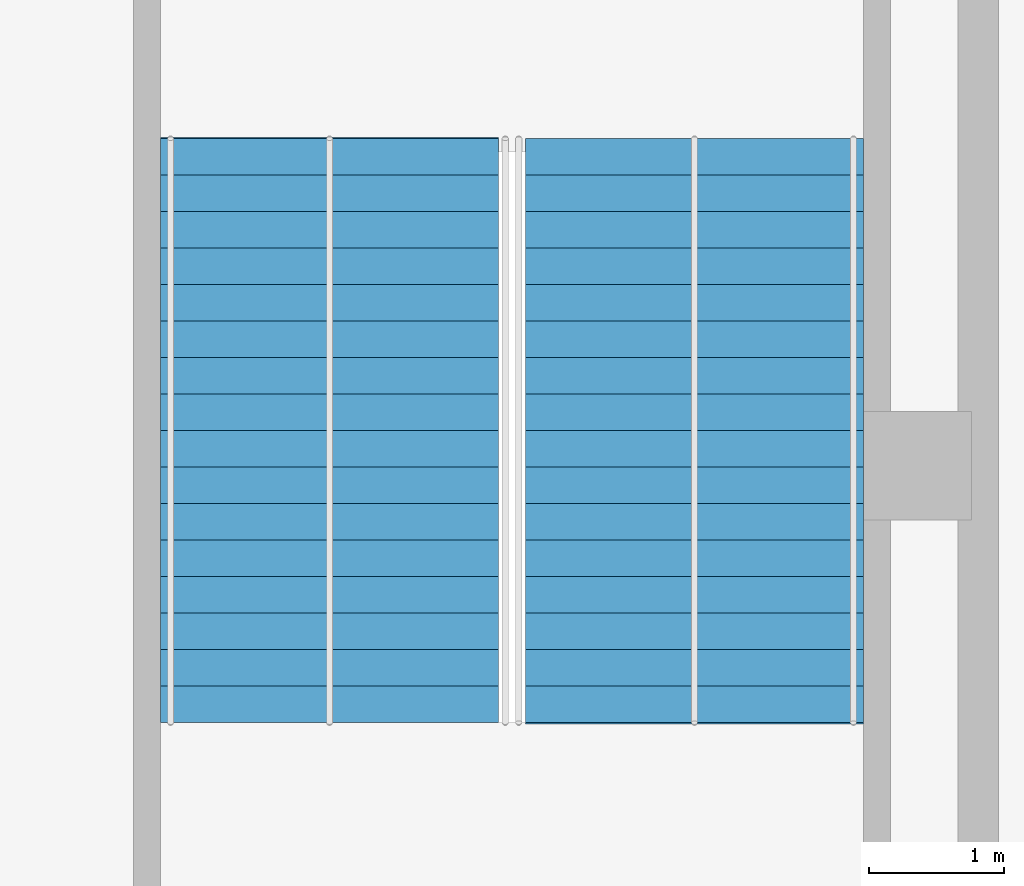
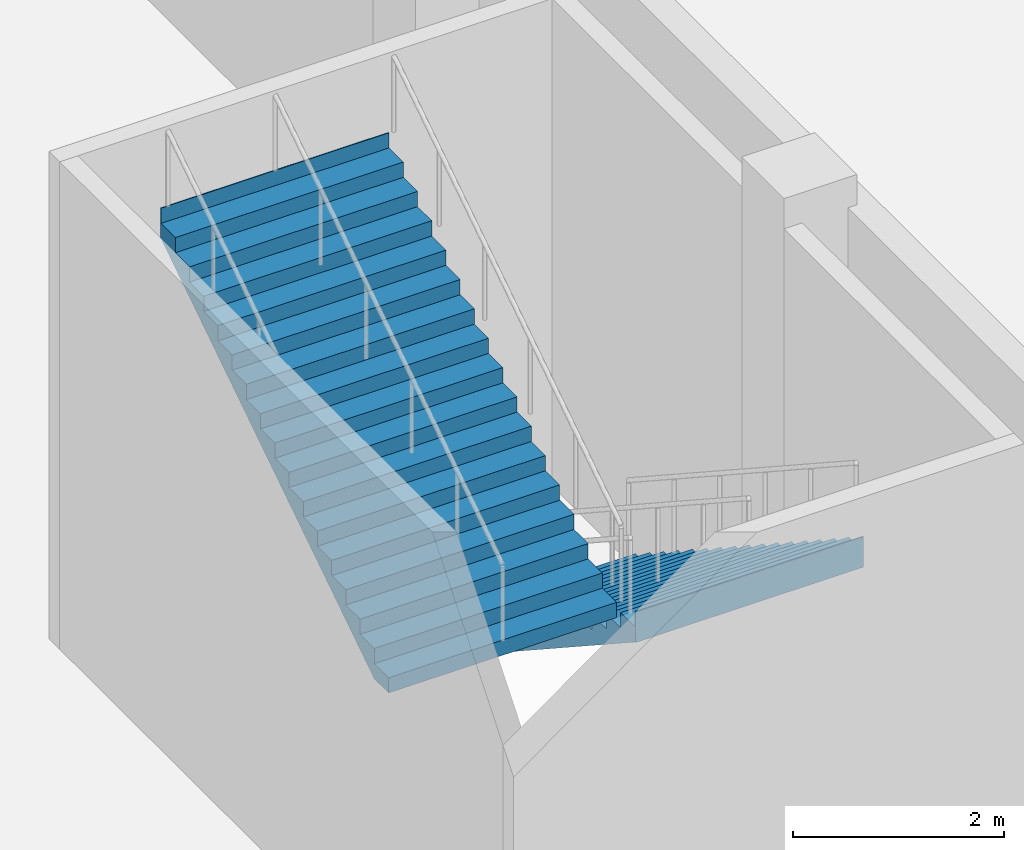
# One storey, part 7 of 8: 2 stair flights, 1 element without a shape of its own.
"""IFC4 building model written with IfcOpenShell, lengths in metres."""

from ifc_helpers import new_model, si_unit, direction, frame, origin, place, context, subcontext, project, spatial, faceted_brep, material, type_object, element, aggregate, save


model = new_model("IFC4")

# Units and contexts
model_context = context("Model", 3, precision=1e-05, world=origin(), true_north=direction((0.0, 1.0)))
body_context = subcontext(model_context, "Body", "Model", "MODEL_VIEW")
ifc_project = project(units=[si_unit("LENGTHUNIT", "METRE"), si_unit("AREAUNIT", "SQUARE_METRE"), si_unit("VOLUMEUNIT", "CUBIC_METRE"), si_unit("PLANEANGLEUNIT", "RADIAN"), si_unit("MASSUNIT", "GRAM", prefix="KILO")], contexts=[model_context])

# Site, building, storey
site_placement = place(None, origin())
site = spatial("IfcSite", under=ifc_project, at=site_placement, CompositionType="ELEMENT")
building_placement = place(site_placement, origin())
building = spatial("IfcBuilding", under=site, at=building_placement, Name="Torsade Residences", CompositionType="ELEMENT")
storey_placement = place(building_placement, origin())
storey = spatial("IfcBuildingStorey", under=building, at=storey_placement, Name="L00", CompositionType="ELEMENT", Elevation=0.0)

# Stair, stair flights
ifc_material_1 = material(Name="Concrete 40 MPa", Category="concrete")
stair_type = type_object("IfcStairType", Name="HALF-TURN PODIUM STAIR 2500x6000", PredefinedType="HALF_TURN_STAIR", material=ifc_material_1)
stair_placement = place(storey_placement, origin())
stair = element("IfcStair", 1, at=stair_placement, inside=storey, type_object=stair_type, Name="Stair ST4 L00", PredefinedType="HALF_TURN_STAIR")
ifc_material_2 = material(Name="Concrete 40 MPa", Category="concrete")
stair_flight_type = type_object("IfcStairFlightType", Name="PODIUM STAIR FLIGHT 2500x3000", PredefinedType="STRAIGHT", material=ifc_material_2)
stair_flight_1_placement = place(storey_placement, frame((75.75, 13.419921875, 0.0), z_axis=(0.0, 0.0, 1.0), x_axis=(0.0, -1.0, 0.0)))
stair_flight_1 = element("IfcStairFlight", 2, at=stair_flight_1_placement, type_object=stair_flight_type, Name="ST4 flight 1", NumberOfRisers=17, NumberOfTreads=16, PredefinedType="STRAIGHT", RiserHeight=0.176470588, TreadLength=0.27, context=body_context, shape_type="Brep", body=[
    faceted_brep([(0.0, 1.25, 0.0), (0.0, 1.25, 0.176513671875), (0.27001953125, 1.25, 0.176513671875), (0.27001953125, 1.25, 0.35302734375), (0.5400390625, 1.25, 0.35302734375), (0.5400390625, 1.25, 0.529296875), (0.81005859375, 1.25, 0.529296875), (0.81005859375, 1.25, 0.705810546875), (1.080078125, 1.25, 0.705810546875), (1.080078125, 1.25, 0.88232421875), (1.35009765625, 1.25, 0.88232421875), (1.35009765625, 1.25, 1.058837890625), (1.6201171875, 1.25, 1.058837890625), (1.6201171875, 1.25, 1.2353515625), (1.889892578125, 1.25, 1.2353515625), (1.889892578125, 1.25, 1.411865234375), (2.159912109375, 1.25, 1.411865234375), (2.159912109375, 1.25, 1.588134765625), (2.429931640625, 1.25, 1.588134765625), (2.429931640625, 1.25, 1.7646484375), (2.699951171875, 1.25, 1.7646484375), (2.699951171875, 1.25, 1.941162109375), (2.969970703125, 1.25, 1.941162109375), (2.969970703125, 1.25, 2.11767578125), (3.239990234375, 1.25, 2.11767578125), (3.239990234375, 1.25, 2.294189453125), (3.510009765625, 1.25, 2.294189453125), (3.510009765625, 1.25, 2.470703125), (3.780029296875, 1.25, 2.470703125), (3.780029296875, 1.25, 2.64697265625), (4.050048828125, 1.25, 2.64697265625), (4.050048828125, 1.25, 2.823486328125), (4.320068359375, 1.25, 2.823486328125), (4.320068359375, 1.25, 3.0), (4.330078125, 1.25, 3.0), (4.330078125, 1.25, 2.64453125), (4.320068359375, 1.25, 2.64453125), (0.27392578125, 1.25, 0.0), (0.27392578125, -1.25, 0.0), (4.320068359375, -1.25, 2.64453125), (4.330078125, -1.25, 2.64453125), (4.330078125, -1.25, 3.0), (4.320068359375, -1.25, 3.0), (4.320068359375, -1.25, 2.823486328125), (4.050048828125, -1.25, 2.823486328125), (4.050048828125, -1.25, 2.64697265625), (3.780029296875, -1.25, 2.64697265625), (3.780029296875, -1.25, 2.470703125), (3.510009765625, -1.25, 2.470703125), (3.510009765625, -1.25, 2.294189453125), (3.239990234375, -1.25, 2.294189453125), (3.239990234375, -1.25, 2.11767578125), (2.969970703125, -1.25, 2.11767578125), (2.969970703125, -1.25, 1.941162109375), (2.699951171875, -1.25, 1.941162109375), (2.699951171875, -1.25, 1.7646484375), (2.429931640625, -1.25, 1.7646484375), (2.429931640625, -1.25, 1.588134765625), (2.159912109375, -1.25, 1.588134765625), (2.159912109375, -1.25, 1.411865234375), (1.889892578125, -1.25, 1.411865234375), (1.889892578125, -1.25, 1.2353515625), (1.6201171875, -1.25, 1.2353515625), (1.6201171875, -1.25, 1.058837890625), (1.35009765625, -1.25, 1.058837890625), (1.35009765625, -1.25, 0.88232421875), (1.080078125, -1.25, 0.88232421875), (1.080078125, -1.25, 0.705810546875), (0.81005859375, -1.25, 0.705810546875), (0.81005859375, -1.25, 0.529296875), (0.5400390625, -1.25, 0.529296875), (0.5400390625, -1.25, 0.35302734375), (0.27001953125, -1.25, 0.35302734375), (0.27001953125, -1.25, 0.176513671875), (0.0, -1.25, 0.176513671875), (0.0, -1.25, 0.0), (0.0, 0.75, 0.0), (0.0, 0.75, 0.176513671875), (0.0, 0.25, 0.0), (0.0, 0.25, 0.176513671875), (0.0, -0.25, 0.0), (0.0, -0.25, 0.176513671875), (0.0, -0.75, 0.0), (0.0, -0.75, 0.176513671875), (0.27001953125, 0.75, 0.176513671875), (0.27001953125, 0.25, 0.176513671875), (0.27001953125, -0.25, 0.176513671875), (0.27001953125, -0.75, 0.176513671875), (0.27001953125, 0.75, 0.35302734375), (0.27001953125, 0.25, 0.35302734375), (0.27001953125, -0.25, 0.35302734375), (0.27001953125, -0.75, 0.35302734375), (0.5400390625, 0.75, 0.35302734375), (0.5400390625, 0.25, 0.35302734375), (0.5400390625, -0.25, 0.35302734375), (0.5400390625, -0.75, 0.35302734375), (0.5400390625, 0.75, 0.529296875), (0.5400390625, 0.25, 0.529296875), (0.5400390625, -0.25, 0.529296875), (0.5400390625, -0.75, 0.529296875), (0.81005859375, 0.75, 0.529296875), (0.81005859375, 0.25, 0.529296875), (0.81005859375, -0.25, 0.529296875), (0.81005859375, -0.75, 0.529296875), (0.81005859375, 0.75, 0.705810546875), (0.81005859375, 0.25, 0.705810546875), (0.81005859375, -0.25, 0.705810546875), (0.81005859375, -0.75, 0.705810546875), (1.080078125, 0.75, 0.705810546875), (1.080078125, 0.25, 0.705810546875), (1.080078125, -0.25, 0.705810546875), (1.080078125, -0.75, 0.705810546875), (1.080078125, 0.75, 0.88232421875), (1.080078125, 0.25, 0.88232421875), (1.080078125, -0.25, 0.88232421875), (1.080078125, -0.75, 0.88232421875), (1.35009765625, 0.75, 0.88232421875), (1.35009765625, 0.25, 0.88232421875), (1.35009765625, -0.25, 0.88232421875), (1.35009765625, -0.75, 0.88232421875), (1.35009765625, 0.75, 1.058837890625), (1.35009765625, 0.25, 1.058837890625), (1.35009765625, -0.25, 1.058837890625), (1.35009765625, -0.75, 1.058837890625), (1.6201171875, 0.75, 1.058837890625), (1.6201171875, 0.25, 1.058837890625), (1.6201171875, -0.25, 1.058837890625), (1.6201171875, -0.75, 1.058837890625), (1.6201171875, 0.75, 1.2353515625), (1.6201171875, 0.25, 1.2353515625), (1.6201171875, -0.25, 1.2353515625), (1.6201171875, -0.75, 1.2353515625), (1.889892578125, 0.75, 1.2353515625), (1.889892578125, 0.25, 1.2353515625), (1.889892578125, -0.25, 1.2353515625), (1.889892578125, -0.75, 1.2353515625), (1.889892578125, 0.75, 1.411865234375), (1.889892578125, 0.25, 1.411865234375), (1.889892578125, -0.25, 1.411865234375), (1.889892578125, -0.75, 1.411865234375), (2.159912109375, 0.75, 1.411865234375), (2.159912109375, 0.25, 1.411865234375), (2.159912109375, -0.25, 1.411865234375), (2.159912109375, -0.75, 1.411865234375), (2.159912109375, 0.75, 1.588134765625), (2.159912109375, 0.25, 1.588134765625), (2.159912109375, -0.25, 1.588134765625), (2.159912109375, -0.75, 1.588134765625), (2.429931640625, 0.75, 1.588134765625), (2.429931640625, 0.25, 1.588134765625), (2.429931640625, -0.25, 1.588134765625), (2.429931640625, -0.75, 1.588134765625), (2.429931640625, 0.75, 1.7646484375), (2.429931640625, 0.25, 1.7646484375), (2.429931640625, -0.25, 1.7646484375), (2.429931640625, -0.75, 1.7646484375), (2.699951171875, 0.75, 1.7646484375), (2.699951171875, 0.25, 1.7646484375), (2.699951171875, -0.25, 1.7646484375), (2.699951171875, -0.75, 1.7646484375), (2.699951171875, 0.75, 1.941162109375), (2.699951171875, 0.25, 1.941162109375), (2.699951171875, -0.25, 1.941162109375), (2.699951171875, -0.75, 1.941162109375), (2.969970703125, 0.75, 1.941162109375), (2.969970703125, 0.25, 1.941162109375), (2.969970703125, -0.25, 1.941162109375), (2.969970703125, -0.75, 1.941162109375), (2.969970703125, 0.75, 2.11767578125), (2.969970703125, 0.25, 2.11767578125), (2.969970703125, -0.25, 2.11767578125), (2.969970703125, -0.75, 2.11767578125), (3.239990234375, 0.75, 2.11767578125), (3.239990234375, 0.25, 2.11767578125), (3.239990234375, -0.25, 2.11767578125), (3.239990234375, -0.75, 2.11767578125), (3.239990234375, 0.75, 2.294189453125), (3.239990234375, 0.25, 2.294189453125), (3.239990234375, -0.25, 2.294189453125), (3.239990234375, -0.75, 2.294189453125), (3.510009765625, 0.75, 2.294189453125), (3.510009765625, 0.25, 2.294189453125), (3.510009765625, -0.25, 2.294189453125), (3.510009765625, -0.75, 2.294189453125), (3.510009765625, 0.75, 2.470703125), (3.510009765625, 0.25, 2.470703125), (3.510009765625, -0.25, 2.470703125), (3.510009765625, -0.75, 2.470703125), (3.780029296875, 0.75, 2.470703125), (3.780029296875, 0.25, 2.470703125), (3.780029296875, -0.25, 2.470703125), (3.780029296875, -0.75, 2.470703125), (3.780029296875, 0.75, 2.64697265625), (3.780029296875, 0.25, 2.64697265625), (3.780029296875, -0.25, 2.64697265625), (3.780029296875, -0.75, 2.64697265625), (4.050048828125, 0.75, 2.64697265625), (4.050048828125, 0.25, 2.64697265625), (4.050048828125, -0.25, 2.64697265625), (4.050048828125, -0.75, 2.64697265625), (4.050048828125, 0.75, 2.823486328125), (4.050048828125, 0.25, 2.823486328125), (4.050048828125, -0.25, 2.823486328125), (4.050048828125, -0.75, 2.823486328125), (4.320068359375, 0.75, 2.823486328125), (4.320068359375, 0.25, 2.823486328125), (4.320068359375, -0.25, 2.823486328125), (4.320068359375, -0.75, 2.823486328125), (4.320068359375, 0.75, 3.0), (4.320068359375, 0.25, 3.0), (4.320068359375, -0.25, 3.0), (4.320068359375, -0.75, 3.0), (4.330078125, 0.75, 3.0), (4.330078125, 0.25, 3.0), (4.330078125, -0.25, 3.0), (4.330078125, -0.75, 3.0), (4.330078125, 0.75, 2.64453125), (4.330078125, 0.25, 2.64453125), (4.330078125, -0.25, 2.64453125), (4.330078125, -0.75, 2.64453125), (4.320068359375, 0.75, 2.64453125), (4.320068359375, 0.25, 2.64453125), (4.320068359375, -0.25, 2.64453125), (4.320068359375, -0.75, 2.64453125), (0.27392578125, 0.75, 0.0), (0.27392578125, 0.25, 0.0), (0.27392578125, -0.25, 0.0), (0.27392578125, -0.75, 0.0)], [[[0, 1, 2, 3, 4, 5, 6, 7, 8, 9, 10, 11, 12, 13, 14, 15, 16, 17, 18, 19, 20, 21, 22, 23, 24, 25, 26, 27, 28, 29, 30, 31, 32, 33, 34, 35, 36, 37]], [[38, 39, 40, 41, 42, 43, 44, 45, 46, 47, 48, 49, 50, 51, 52, 53, 54, 55, 56, 57, 58, 59, 60, 61, 62, 63, 64, 65, 66, 67, 68, 69, 70, 71, 72, 73, 74, 75]], [[76, 77, 1, 0]], [[78, 79, 77, 76]], [[80, 81, 79, 78]], [[82, 83, 81, 80]], [[75, 74, 83, 82]], [[77, 84, 2, 1]], [[79, 85, 84, 77]], [[81, 86, 85, 79]], [[83, 87, 86, 81]], [[74, 73, 87, 83]], [[84, 88, 3, 2]], [[85, 89, 88, 84]], [[86, 90, 89, 85]], [[87, 91, 90, 86]], [[73, 72, 91, 87]], [[88, 92, 4, 3]], [[89, 93, 92, 88]], [[90, 94, 93, 89]], [[91, 95, 94, 90]], [[72, 71, 95, 91]], [[92, 96, 5, 4]], [[93, 97, 96, 92]], [[94, 98, 97, 93]], [[95, 99, 98, 94]], [[71, 70, 99, 95]], [[96, 100, 6, 5]], [[97, 101, 100, 96]], [[98, 102, 101, 97]], [[99, 103, 102, 98]], [[70, 69, 103, 99]], [[100, 104, 7, 6]], [[101, 105, 104, 100]], [[102, 106, 105, 101]], [[103, 107, 106, 102]], [[69, 68, 107, 103]], [[104, 108, 8, 7]], [[105, 109, 108, 104]], [[106, 110, 109, 105]], [[107, 111, 110, 106]], [[68, 67, 111, 107]], [[108, 112, 9, 8]], [[109, 113, 112, 108]], [[110, 114, 113, 109]], [[111, 115, 114, 110]], [[67, 66, 115, 111]], [[112, 116, 10, 9]], [[113, 117, 116, 112]], [[114, 118, 117, 113]], [[115, 119, 118, 114]], [[66, 65, 119, 115]], [[116, 120, 11, 10]], [[117, 121, 120, 116]], [[118, 122, 121, 117]], [[119, 123, 122, 118]], [[65, 64, 123, 119]], [[120, 124, 12, 11]], [[121, 125, 124, 120]], [[122, 126, 125, 121]], [[123, 127, 126, 122]], [[64, 63, 127, 123]], [[124, 128, 13, 12]], [[125, 129, 128, 124]], [[126, 130, 129, 125]], [[127, 131, 130, 126]], [[63, 62, 131, 127]], [[128, 132, 14, 13]], [[129, 133, 132, 128]], [[130, 134, 133, 129]], [[131, 135, 134, 130]], [[62, 61, 135, 131]], [[132, 136, 15, 14]], [[133, 137, 136, 132]], [[134, 138, 137, 133]], [[135, 139, 138, 134]], [[61, 60, 139, 135]], [[136, 140, 16, 15]], [[137, 141, 140, 136]], [[138, 142, 141, 137]], [[139, 143, 142, 138]], [[60, 59, 143, 139]], [[140, 144, 17, 16]], [[141, 145, 144, 140]], [[142, 146, 145, 141]], [[143, 147, 146, 142]], [[59, 58, 147, 143]], [[144, 148, 18, 17]], [[145, 149, 148, 144]], [[146, 150, 149, 145]], [[147, 151, 150, 146]], [[58, 57, 151, 147]], [[148, 152, 19, 18]], [[149, 153, 152, 148]], [[150, 154, 153, 149]], [[151, 155, 154, 150]], [[57, 56, 155, 151]], [[152, 156, 20, 19]], [[153, 157, 156, 152]], [[154, 158, 157, 153]], [[155, 159, 158, 154]], [[56, 55, 159, 155]], [[156, 160, 21, 20]], [[157, 161, 160, 156]], [[158, 162, 161, 157]], [[159, 163, 162, 158]], [[55, 54, 163, 159]], [[160, 164, 22, 21]], [[161, 165, 164, 160]], [[162, 166, 165, 161]], [[163, 167, 166, 162]], [[54, 53, 167, 163]], [[164, 168, 23, 22]], [[165, 169, 168, 164]], [[166, 170, 169, 165]], [[167, 171, 170, 166]], [[53, 52, 171, 167]], [[168, 172, 24, 23]], [[169, 173, 172, 168]], [[170, 174, 173, 169]], [[171, 175, 174, 170]], [[52, 51, 175, 171]], [[172, 176, 25, 24]], [[173, 177, 176, 172]], [[174, 178, 177, 173]], [[175, 179, 178, 174]], [[51, 50, 179, 175]], [[176, 180, 26, 25]], [[177, 181, 180, 176]], [[178, 182, 181, 177]], [[179, 183, 182, 178]], [[50, 49, 183, 179]], [[180, 184, 27, 26]], [[181, 185, 184, 180]], [[182, 186, 185, 181]], [[183, 187, 186, 182]], [[49, 48, 187, 183]], [[184, 188, 28, 27]], [[185, 189, 188, 184]], [[186, 190, 189, 185]], [[187, 191, 190, 186]], [[48, 47, 191, 187]], [[188, 192, 29, 28]], [[189, 193, 192, 188]], [[190, 194, 193, 189]], [[191, 195, 194, 190]], [[47, 46, 195, 191]], [[192, 196, 30, 29]], [[193, 197, 196, 192]], [[194, 198, 197, 193]], [[195, 199, 198, 194]], [[46, 45, 199, 195]], [[196, 200, 31, 30]], [[197, 201, 200, 196]], [[198, 202, 201, 197]], [[199, 203, 202, 198]], [[45, 44, 203, 199]], [[200, 204, 32, 31]], [[201, 205, 204, 200]], [[202, 206, 205, 201]], [[203, 207, 206, 202]], [[44, 43, 207, 203]], [[204, 208, 33, 32]], [[205, 209, 208, 204]], [[206, 210, 209, 205]], [[207, 211, 210, 206]], [[43, 42, 211, 207]], [[208, 212, 34, 33]], [[209, 213, 212, 208]], [[210, 214, 213, 209]], [[211, 215, 214, 210]], [[42, 41, 215, 211]], [[212, 216, 35, 34]], [[213, 217, 216, 212]], [[214, 218, 217, 213]], [[215, 219, 218, 214]], [[41, 40, 219, 215]], [[216, 220, 36, 35]], [[217, 221, 220, 216]], [[218, 222, 221, 217]], [[219, 223, 222, 218]], [[40, 39, 223, 219]], [[220, 224, 37, 36]], [[221, 225, 224, 220]], [[222, 226, 225, 221]], [[223, 227, 226, 222]], [[39, 38, 227, 223]], [[224, 76, 0, 37]], [[225, 78, 76, 224]], [[226, 80, 78, 225]], [[227, 82, 80, 226]], [[38, 75, 82, 227]]]),
])
stair_flight_2_placement = place(storey_placement, frame((73.050048828125, 9.10009765625, 3.0), z_axis=(0.0, 0.0, 1.0), x_axis=(0.0, 1.0, 0.0)))
stair_flight_2 = element("IfcStairFlight", 3, at=stair_flight_2_placement, type_object=stair_flight_type, Name="ST4 flight 2", NumberOfRisers=17, NumberOfTreads=16, PredefinedType="STRAIGHT", RiserHeight=0.176470588, TreadLength=0.27, context=body_context, shape_type="Brep", body=[
    faceted_brep([(0.0, 1.25, 0.0), (0.0, 1.25, 0.176513671875), (0.27001953125, 1.25, 0.176513671875), (0.27001953125, 1.25, 0.35302734375), (0.5400390625, 1.25, 0.35302734375), (0.5400390625, 1.25, 0.529296875), (0.81005859375, 1.25, 0.529296875), (0.81005859375, 1.25, 0.705810546875), (1.080078125, 1.25, 0.705810546875), (1.080078125, 1.25, 0.88232421875), (1.35009765625, 1.25, 0.88232421875), (1.35009765625, 1.25, 1.058837890625), (1.6201171875, 1.25, 1.058837890625), (1.6201171875, 1.25, 1.2353515625), (1.889892578125, 1.25, 1.2353515625), (1.889892578125, 1.25, 1.411865234375), (2.159912109375, 1.25, 1.411865234375), (2.159912109375, 1.25, 1.588134765625), (2.429931640625, 1.25, 1.588134765625), (2.429931640625, 1.25, 1.7646484375), (2.699951171875, 1.25, 1.7646484375), (2.699951171875, 1.25, 1.941162109375), (2.969970703125, 1.25, 1.941162109375), (2.969970703125, 1.25, 2.11767578125), (3.239990234375, 1.25, 2.11767578125), (3.239990234375, 1.25, 2.294189453125), (3.510009765625, 1.25, 2.294189453125), (3.510009765625, 1.25, 2.470703125), (3.780029296875, 1.25, 2.470703125), (3.780029296875, 1.25, 2.64697265625), (4.050048828125, 1.25, 2.64697265625), (4.050048828125, 1.25, 2.823486328125), (4.320068359375, 1.25, 2.823486328125), (4.320068359375, 1.25, 3.0), (4.330078125, 1.25, 3.0), (4.330078125, 1.25, 2.64453125), (4.320068359375, 1.25, 2.64453125), (0.27392578125, 1.25, 0.0), (0.27392578125, -1.25, 0.0), (4.320068359375, -1.25, 2.64453125), (4.330078125, -1.25, 2.64453125), (4.330078125, -1.25, 3.0), (4.320068359375, -1.25, 3.0), (4.320068359375, -1.25, 2.823486328125), (4.050048828125, -1.25, 2.823486328125), (4.050048828125, -1.25, 2.64697265625), (3.780029296875, -1.25, 2.64697265625), (3.780029296875, -1.25, 2.470703125), (3.510009765625, -1.25, 2.470703125), (3.510009765625, -1.25, 2.294189453125), (3.239990234375, -1.25, 2.294189453125), (3.239990234375, -1.25, 2.11767578125), (2.969970703125, -1.25, 2.11767578125), (2.969970703125, -1.25, 1.941162109375), (2.699951171875, -1.25, 1.941162109375), (2.699951171875, -1.25, 1.7646484375), (2.429931640625, -1.25, 1.7646484375), (2.429931640625, -1.25, 1.588134765625), (2.159912109375, -1.25, 1.588134765625), (2.159912109375, -1.25, 1.411865234375), (1.889892578125, -1.25, 1.411865234375), (1.889892578125, -1.25, 1.2353515625), (1.6201171875, -1.25, 1.2353515625), (1.6201171875, -1.25, 1.058837890625), (1.35009765625, -1.25, 1.058837890625), (1.35009765625, -1.25, 0.88232421875), (1.080078125, -1.25, 0.88232421875), (1.080078125, -1.25, 0.705810546875), (0.81005859375, -1.25, 0.705810546875), (0.81005859375, -1.25, 0.529296875), (0.5400390625, -1.25, 0.529296875), (0.5400390625, -1.25, 0.35302734375), (0.27001953125, -1.25, 0.35302734375), (0.27001953125, -1.25, 0.176513671875), (0.0, -1.25, 0.176513671875), (0.0, -1.25, 0.0), (0.0, 0.75, 0.0), (0.0, 0.75, 0.176513671875), (0.0, 0.25, 0.0), (0.0, 0.25, 0.176513671875), (0.0, -0.25, 0.0), (0.0, -0.25, 0.176513671875), (0.0, -0.75, 0.0), (0.0, -0.75, 0.176513671875), (0.27001953125, 0.75, 0.176513671875), (0.27001953125, 0.25, 0.176513671875), (0.27001953125, -0.25, 0.176513671875), (0.27001953125, -0.75, 0.176513671875), (0.27001953125, 0.75, 0.35302734375), (0.27001953125, 0.25, 0.35302734375), (0.27001953125, -0.25, 0.35302734375), (0.27001953125, -0.75, 0.35302734375), (0.5400390625, 0.75, 0.35302734375), (0.5400390625, 0.25, 0.35302734375), (0.5400390625, -0.25, 0.35302734375), (0.5400390625, -0.75, 0.35302734375), (0.5400390625, 0.75, 0.529296875), (0.5400390625, 0.25, 0.529296875), (0.5400390625, -0.25, 0.529296875), (0.5400390625, -0.75, 0.529296875), (0.81005859375, 0.75, 0.529296875), (0.81005859375, 0.25, 0.529296875), (0.81005859375, -0.25, 0.529296875), (0.81005859375, -0.75, 0.529296875), (0.81005859375, 0.75, 0.705810546875), (0.81005859375, 0.25, 0.705810546875), (0.81005859375, -0.25, 0.705810546875), (0.81005859375, -0.75, 0.705810546875), (1.080078125, 0.75, 0.705810546875), (1.080078125, 0.25, 0.705810546875), (1.080078125, -0.25, 0.705810546875), (1.080078125, -0.75, 0.705810546875), (1.080078125, 0.75, 0.88232421875), (1.080078125, 0.25, 0.88232421875), (1.080078125, -0.25, 0.88232421875), (1.080078125, -0.75, 0.88232421875), (1.35009765625, 0.75, 0.88232421875), (1.35009765625, 0.25, 0.88232421875), (1.35009765625, -0.25, 0.88232421875), (1.35009765625, -0.75, 0.88232421875), (1.35009765625, 0.75, 1.058837890625), (1.35009765625, 0.25, 1.058837890625), (1.35009765625, -0.25, 1.058837890625), (1.35009765625, -0.75, 1.058837890625), (1.6201171875, 0.75, 1.058837890625), (1.6201171875, 0.25, 1.058837890625), (1.6201171875, -0.25, 1.058837890625), (1.6201171875, -0.75, 1.058837890625), (1.6201171875, 0.75, 1.2353515625), (1.6201171875, 0.25, 1.2353515625), (1.6201171875, -0.25, 1.2353515625), (1.6201171875, -0.75, 1.2353515625), (1.889892578125, 0.75, 1.2353515625), (1.889892578125, 0.25, 1.2353515625), (1.889892578125, -0.25, 1.2353515625), (1.889892578125, -0.75, 1.2353515625), (1.889892578125, 0.75, 1.411865234375), (1.889892578125, 0.25, 1.411865234375), (1.889892578125, -0.25, 1.411865234375), (1.889892578125, -0.75, 1.411865234375), (2.159912109375, 0.75, 1.411865234375), (2.159912109375, 0.25, 1.411865234375), (2.159912109375, -0.25, 1.411865234375), (2.159912109375, -0.75, 1.411865234375), (2.159912109375, 0.75, 1.588134765625), (2.159912109375, 0.25, 1.588134765625), (2.159912109375, -0.25, 1.588134765625), (2.159912109375, -0.75, 1.588134765625), (2.429931640625, 0.75, 1.588134765625), (2.429931640625, 0.25, 1.588134765625), (2.429931640625, -0.25, 1.588134765625), (2.429931640625, -0.75, 1.588134765625), (2.429931640625, 0.75, 1.7646484375), (2.429931640625, 0.25, 1.7646484375), (2.429931640625, -0.25, 1.7646484375), (2.429931640625, -0.75, 1.7646484375), (2.699951171875, 0.75, 1.7646484375), (2.699951171875, 0.25, 1.7646484375), (2.699951171875, -0.25, 1.7646484375), (2.699951171875, -0.75, 1.7646484375), (2.699951171875, 0.75, 1.941162109375), (2.699951171875, 0.25, 1.941162109375), (2.699951171875, -0.25, 1.941162109375), (2.699951171875, -0.75, 1.941162109375), (2.969970703125, 0.75, 1.941162109375), (2.969970703125, 0.25, 1.941162109375), (2.969970703125, -0.25, 1.941162109375), (2.969970703125, -0.75, 1.941162109375), (2.969970703125, 0.75, 2.11767578125), (2.969970703125, 0.25, 2.11767578125), (2.969970703125, -0.25, 2.11767578125), (2.969970703125, -0.75, 2.11767578125), (3.239990234375, 0.75, 2.11767578125), (3.239990234375, 0.25, 2.11767578125), (3.239990234375, -0.25, 2.11767578125), (3.239990234375, -0.75, 2.11767578125), (3.239990234375, 0.75, 2.294189453125), (3.239990234375, 0.25, 2.294189453125), (3.239990234375, -0.25, 2.294189453125), (3.239990234375, -0.75, 2.294189453125), (3.510009765625, 0.75, 2.294189453125), (3.510009765625, 0.25, 2.294189453125), (3.510009765625, -0.25, 2.294189453125), (3.510009765625, -0.75, 2.294189453125), (3.510009765625, 0.75, 2.470703125), (3.510009765625, 0.25, 2.470703125), (3.510009765625, -0.25, 2.470703125), (3.510009765625, -0.75, 2.470703125), (3.780029296875, 0.75, 2.470703125), (3.780029296875, 0.25, 2.470703125), (3.780029296875, -0.25, 2.470703125), (3.780029296875, -0.75, 2.470703125), (3.780029296875, 0.75, 2.64697265625), (3.780029296875, 0.25, 2.64697265625), (3.780029296875, -0.25, 2.64697265625), (3.780029296875, -0.75, 2.64697265625), (4.050048828125, 0.75, 2.64697265625), (4.050048828125, 0.25, 2.64697265625), (4.050048828125, -0.25, 2.64697265625), (4.050048828125, -0.75, 2.64697265625), (4.050048828125, 0.75, 2.823486328125), (4.050048828125, 0.25, 2.823486328125), (4.050048828125, -0.25, 2.823486328125), (4.050048828125, -0.75, 2.823486328125), (4.320068359375, 0.75, 2.823486328125), (4.320068359375, 0.25, 2.823486328125), (4.320068359375, -0.25, 2.823486328125), (4.320068359375, -0.75, 2.823486328125), (4.320068359375, 0.75, 3.0), (4.320068359375, 0.25, 3.0), (4.320068359375, -0.25, 3.0), (4.320068359375, -0.75, 3.0), (4.330078125, 0.75, 3.0), (4.330078125, 0.25, 3.0), (4.330078125, -0.25, 3.0), (4.330078125, -0.75, 3.0), (4.330078125, 0.75, 2.64453125), (4.330078125, 0.25, 2.64453125), (4.330078125, -0.25, 2.64453125), (4.330078125, -0.75, 2.64453125), (4.320068359375, 0.75, 2.64453125), (4.320068359375, 0.25, 2.64453125), (4.320068359375, -0.25, 2.64453125), (4.320068359375, -0.75, 2.64453125), (0.27392578125, 0.75, 0.0), (0.27392578125, 0.25, 0.0), (0.27392578125, -0.25, 0.0), (0.27392578125, -0.75, 0.0)], [[[0, 1, 2, 3, 4, 5, 6, 7, 8, 9, 10, 11, 12, 13, 14, 15, 16, 17, 18, 19, 20, 21, 22, 23, 24, 25, 26, 27, 28, 29, 30, 31, 32, 33, 34, 35, 36, 37]], [[38, 39, 40, 41, 42, 43, 44, 45, 46, 47, 48, 49, 50, 51, 52, 53, 54, 55, 56, 57, 58, 59, 60, 61, 62, 63, 64, 65, 66, 67, 68, 69, 70, 71, 72, 73, 74, 75]], [[76, 77, 1, 0]], [[78, 79, 77, 76]], [[80, 81, 79, 78]], [[82, 83, 81, 80]], [[75, 74, 83, 82]], [[77, 84, 2, 1]], [[79, 85, 84, 77]], [[81, 86, 85, 79]], [[83, 87, 86, 81]], [[74, 73, 87, 83]], [[84, 88, 3, 2]], [[85, 89, 88, 84]], [[86, 90, 89, 85]], [[87, 91, 90, 86]], [[73, 72, 91, 87]], [[88, 92, 4, 3]], [[89, 93, 92, 88]], [[90, 94, 93, 89]], [[91, 95, 94, 90]], [[72, 71, 95, 91]], [[92, 96, 5, 4]], [[93, 97, 96, 92]], [[94, 98, 97, 93]], [[95, 99, 98, 94]], [[71, 70, 99, 95]], [[96, 100, 6, 5]], [[97, 101, 100, 96]], [[98, 102, 101, 97]], [[99, 103, 102, 98]], [[70, 69, 103, 99]], [[100, 104, 7, 6]], [[101, 105, 104, 100]], [[102, 106, 105, 101]], [[103, 107, 106, 102]], [[69, 68, 107, 103]], [[104, 108, 8, 7]], [[105, 109, 108, 104]], [[106, 110, 109, 105]], [[107, 111, 110, 106]], [[68, 67, 111, 107]], [[108, 112, 9, 8]], [[109, 113, 112, 108]], [[110, 114, 113, 109]], [[111, 115, 114, 110]], [[67, 66, 115, 111]], [[112, 116, 10, 9]], [[113, 117, 116, 112]], [[114, 118, 117, 113]], [[115, 119, 118, 114]], [[66, 65, 119, 115]], [[116, 120, 11, 10]], [[117, 121, 120, 116]], [[118, 122, 121, 117]], [[119, 123, 122, 118]], [[65, 64, 123, 119]], [[120, 124, 12, 11]], [[121, 125, 124, 120]], [[122, 126, 125, 121]], [[123, 127, 126, 122]], [[64, 63, 127, 123]], [[124, 128, 13, 12]], [[125, 129, 128, 124]], [[126, 130, 129, 125]], [[127, 131, 130, 126]], [[63, 62, 131, 127]], [[128, 132, 14, 13]], [[129, 133, 132, 128]], [[130, 134, 133, 129]], [[131, 135, 134, 130]], [[62, 61, 135, 131]], [[132, 136, 15, 14]], [[133, 137, 136, 132]], [[134, 138, 137, 133]], [[135, 139, 138, 134]], [[61, 60, 139, 135]], [[136, 140, 16, 15]], [[137, 141, 140, 136]], [[138, 142, 141, 137]], [[139, 143, 142, 138]], [[60, 59, 143, 139]], [[140, 144, 17, 16]], [[141, 145, 144, 140]], [[142, 146, 145, 141]], [[143, 147, 146, 142]], [[59, 58, 147, 143]], [[144, 148, 18, 17]], [[145, 149, 148, 144]], [[146, 150, 149, 145]], [[147, 151, 150, 146]], [[58, 57, 151, 147]], [[148, 152, 19, 18]], [[149, 153, 152, 148]], [[150, 154, 153, 149]], [[151, 155, 154, 150]], [[57, 56, 155, 151]], [[152, 156, 20, 19]], [[153, 157, 156, 152]], [[154, 158, 157, 153]], [[155, 159, 158, 154]], [[56, 55, 159, 155]], [[156, 160, 21, 20]], [[157, 161, 160, 156]], [[158, 162, 161, 157]], [[159, 163, 162, 158]], [[55, 54, 163, 159]], [[160, 164, 22, 21]], [[161, 165, 164, 160]], [[162, 166, 165, 161]], [[163, 167, 166, 162]], [[54, 53, 167, 163]], [[164, 168, 23, 22]], [[165, 169, 168, 164]], [[166, 170, 169, 165]], [[167, 171, 170, 166]], [[53, 52, 171, 167]], [[168, 172, 24, 23]], [[169, 173, 172, 168]], [[170, 174, 173, 169]], [[171, 175, 174, 170]], [[52, 51, 175, 171]], [[172, 176, 25, 24]], [[173, 177, 176, 172]], [[174, 178, 177, 173]], [[175, 179, 178, 174]], [[51, 50, 179, 175]], [[176, 180, 26, 25]], [[177, 181, 180, 176]], [[178, 182, 181, 177]], [[179, 183, 182, 178]], [[50, 49, 183, 179]], [[180, 184, 27, 26]], [[181, 185, 184, 180]], [[182, 186, 185, 181]], [[183, 187, 186, 182]], [[49, 48, 187, 183]], [[184, 188, 28, 27]], [[185, 189, 188, 184]], [[186, 190, 189, 185]], [[187, 191, 190, 186]], [[48, 47, 191, 187]], [[188, 192, 29, 28]], [[189, 193, 192, 188]], [[190, 194, 193, 189]], [[191, 195, 194, 190]], [[47, 46, 195, 191]], [[192, 196, 30, 29]], [[193, 197, 196, 192]], [[194, 198, 197, 193]], [[195, 199, 198, 194]], [[46, 45, 199, 195]], [[196, 200, 31, 30]], [[197, 201, 200, 196]], [[198, 202, 201, 197]], [[199, 203, 202, 198]], [[45, 44, 203, 199]], [[200, 204, 32, 31]], [[201, 205, 204, 200]], [[202, 206, 205, 201]], [[203, 207, 206, 202]], [[44, 43, 207, 203]], [[204, 208, 33, 32]], [[205, 209, 208, 204]], [[206, 210, 209, 205]], [[207, 211, 210, 206]], [[43, 42, 211, 207]], [[208, 212, 34, 33]], [[209, 213, 212, 208]], [[210, 214, 213, 209]], [[211, 215, 214, 210]], [[42, 41, 215, 211]], [[212, 216, 35, 34]], [[213, 217, 216, 212]], [[214, 218, 217, 213]], [[215, 219, 218, 214]], [[41, 40, 219, 215]], [[216, 220, 36, 35]], [[217, 221, 220, 216]], [[218, 222, 221, 217]], [[219, 223, 222, 218]], [[40, 39, 223, 219]], [[220, 224, 37, 36]], [[221, 225, 224, 220]], [[222, 226, 225, 221]], [[223, 227, 226, 222]], [[39, 38, 227, 223]], [[224, 76, 0, 37]], [[225, 78, 76, 224]], [[226, 80, 78, 225]], [[227, 82, 80, 226]], [[38, 75, 82, 227]]]),
])
aggregate(stair, [stair_flight_1, stair_flight_2])

save(model, "model.ifc")
